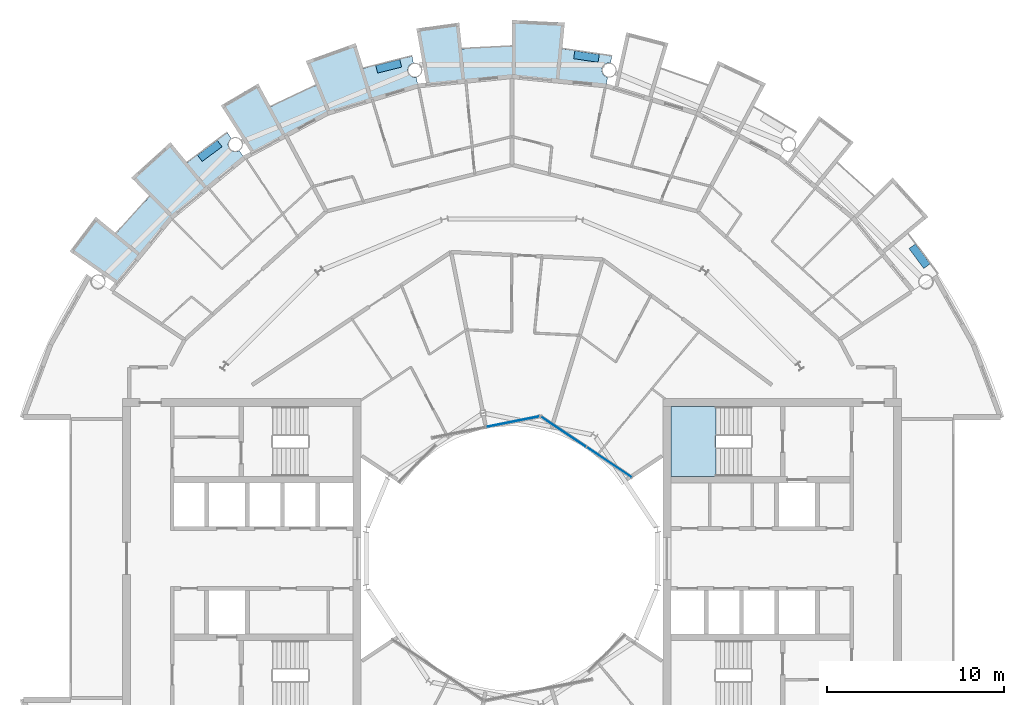
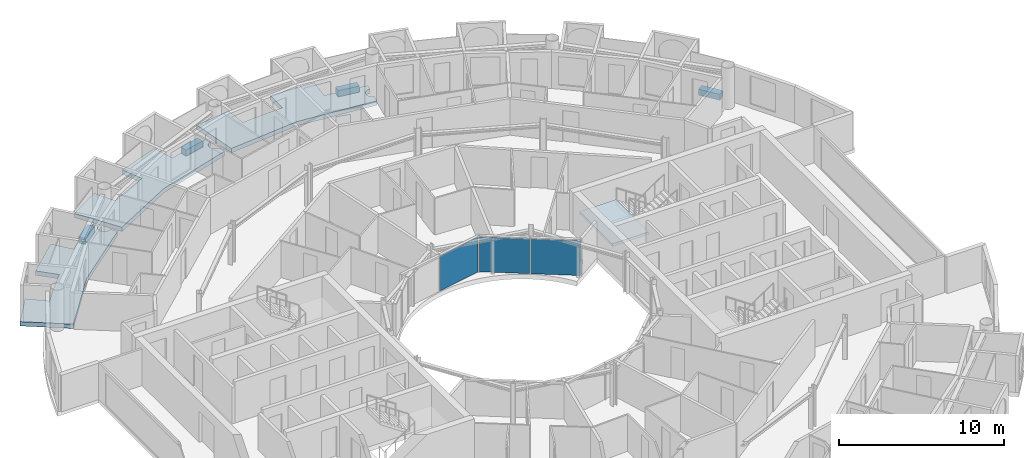
# One storey, part 13 of 29: 8 slabs, 3 plates, 3 elements without a shape of their own.
"""IFC4 building model written with IfcOpenShell, lengths in metres."""

from ifc_helpers import new_model, si_unit, direction, frame, origin, origin_2d, place, context, subcontext, project, spatial, polyline, rectangle, outline, extrude, material, layer, layer_set, type_object, element, aggregate, save


model = new_model("IFC4")

# Units and contexts
model_context = context("Model", 3, precision=1e-05, world=origin(), true_north=direction((0.0, 1.0)))
body_context = subcontext(model_context, "Body", "Model", "MODEL_VIEW")
ifc_project = project(units=[si_unit("LENGTHUNIT", "METRE"), si_unit("AREAUNIT", "SQUARE_METRE"), si_unit("VOLUMEUNIT", "CUBIC_METRE"), si_unit("PLANEANGLEUNIT", "RADIAN"), si_unit("MASSUNIT", "GRAM", prefix="KILO")], contexts=[model_context])

# Site, building, storey
site_placement = place(None, origin())
site = spatial("IfcSite", under=ifc_project, at=site_placement, CompositionType="ELEMENT")
building_placement = place(site_placement, origin())
building = spatial("IfcBuilding", under=site, at=building_placement, Name="Maasbend Ring Residences", CompositionType="ELEMENT")
storey_placement = place(building_placement, frame((0.0, 0.0, 190.199951171875)))
storey = spatial("IfcBuildingStorey", under=building, at=storey_placement, Name="L54", CompositionType="ELEMENT", Elevation=190.199951171875)

# Stair, slab
ifc_material_1 = material(Name="Concrete C40/50", Category="concrete")
stair_type = type_object("IfcStairType", Name="CORE STAIR 18 RISERS", PredefinedType="HALF_TURN_STAIR", material=ifc_material_1)
stair_placement = place(storey_placement, origin())
stair = element("IfcStair", 1, at=stair_placement, inside=storey, type_object=stair_type, Name="L54 Exit stair ST-E1", PredefinedType="HALF_TURN_STAIR")
ifc_material_2 = material(Name="Concrete C40/50", Category="concrete")
ifc_layer_1 = layer(ifc_material_2, 0.199951171875)
ifc_layer_set_1 = layer_set([ifc_layer_1], Name="Concrete C40/50")
slab_type_1 = type_object("IfcSlabType", Name="CORE STAIR LANDING 200", PredefinedType="LANDING", material=ifc_layer_set_1)
slab_1_placement = place(storey_placement, frame((0.0, 0.0, 1.324951171875)))
slab_1 = element("IfcSlab", 2, at=slab_1_placement, type_object=slab_type_1, Name="ST-E1 landing 1", PredefinedType="LANDING", context=body_context, shape_type="SweptSolid", body=[
    extrude(outline(polyline([(11.550048828125, 8.60009765625), (9.0, 8.60009765625), (9.0, 4.64990234375), (11.550048828125, 4.64990234375), (11.550048828125, 8.60009765625)])), origin(), (0.0, 0.0, 1.0), 0.2001953125),
])
aggregate(stair, [slab_1])

# Curtain wall, plates
ifc_material_3 = material(Name="Aluminium and clear glass", Category="aluminium")
ifc_layer_2 = layer(ifc_material_3, 0.179931640625)
ifc_layer_set_2 = layer_set([ifc_layer_2], Name="CW-W")
curtain_wall_type = type_object("IfcCurtainWallType", Name="CW-W", PredefinedType="NOTDEFINED", material=ifc_layer_set_2)
curtain_wall_1_placement = place(storey_placement, origin())
curtain_wall_1 = element("IfcCurtainWall", 3, at=curtain_wall_1_placement, inside=storey, type_object=curtain_wall_type, Name="Well curtain wall N1", PredefinedType="NOTDEFINED")
ifc_material_4 = material(Name="Glass clear laminated", Category="glass")
ifc_layer_3 = layer(ifc_material_4, 0.031982421875)
ifc_layer_set_3 = layer_set([ifc_layer_3], Name="CWP-W")
plate_type = type_object("IfcPlateType", Name="CWP-W", PredefinedType="CURTAIN_PANEL", material=ifc_layer_set_3)
plate_1_placement = place(storey_placement, frame((5.51123046875, 5.44580078125, 0.0), z_axis=(0.0, 0.0, 1.0), x_axis=(-0.831469612303, 0.55557023302, 0.0)))
plate_1 = element("IfcPlate", 4, at=plate_1_placement, type_object=plate_type, Name="Glass panel well face", PredefinedType="CURTAIN_PANEL", context=body_context, shape_type="SweptSolid", body=[
    extrude(rectangle(XDim=3.053955078125, YDim=0.031982421875, at=origin_2d()), origin(), (0.0, 0.0, 1.0), 2.580078125),
])
plate_2_placement = place(storey_placement, frame((2.922119140625, 7.17578125, 0.0), z_axis=(0.0, 0.0, 1.0), x_axis=(-0.831469612303, 0.55557023302, 0.0)))
plate_2 = element("IfcPlate", 5, at=plate_2_placement, type_object=plate_type, Name="Glass panel well face", PredefinedType="CURTAIN_PANEL", context=body_context, shape_type="SweptSolid", body=[
    extrude(rectangle(XDim=3.053955078125, YDim=0.031982421875, at=origin_2d()), origin(), (0.0, 0.0, 1.0), 2.580078125),
])
aggregate(curtain_wall_1, [plate_1, plate_2])

# Curtain wall, plate
curtain_wall_2_placement = place(storey_placement, origin())
curtain_wall_2 = element("IfcCurtainWall", 6, at=curtain_wall_2_placement, inside=storey, type_object=curtain_wall_type, Name="Well curtain wall N2", PredefinedType="NOTDEFINED")
plate_3_placement = place(storey_placement, frame((0.04638671875, 7.747802734375, 0.0), z_axis=(0.0, 0.0, 1.0), x_axis=(-0.980785280403, -0.195090322016, 0.0)))
plate_3 = element("IfcPlate", 7, at=plate_3_placement, type_object=plate_type, Name="Glass panel well face", PredefinedType="CURTAIN_PANEL", context=body_context, shape_type="SweptSolid", body=[
    extrude(rectangle(XDim=3.053955078125, YDim=0.031982421875, at=origin_2d()), origin(), (0.0, 0.0, 1.0), 2.580078125),
])
aggregate(curtain_wall_2, [plate_3])

# Slabs
ifc_material_5 = material(Name="Planting with climbing greenery")
ifc_layer_4 = layer(ifc_material_5, 0.449951171875)
ifc_layer_set_4 = layer_set([ifc_layer_4], Name="PLANTER-LG")
slab_type_2 = type_object("IfcSlabType", Name="PLANTER-LG", PredefinedType="USERDEFINED", material=ifc_layer_set_4)
slab_2_placement = place(storey_placement, frame((0.0, 0.0, -0.030029296875)))
element("IfcSlab", 8, at=slab_2_placement, inside=storey, type_object=slab_type_2, Name="Planter with climbing greenery 1", ObjectType="PLANTER", PredefinedType="USERDEFINED", context=body_context, shape_type="SweptSolid", body=[
    extrude(outline(polyline([(23.681884765625, 16.69189453125), (22.847900390625, 17.81689453125), (22.487060546875, 17.549072265625), (23.321044921875, 16.424072265625), (23.681884765625, 16.69189453125)])), origin(), (0.0, 0.0, 1.0), 0.4501953125),
])
slab_3_placement = place(storey_placement, frame((0.0, 0.0, -0.030029296875)))
element("IfcSlab", 9, at=slab_3_placement, inside=storey, type_object=slab_type_2, Name="Planter with climbing greenery 3", ObjectType="PLANTER", PredefinedType="USERDEFINED", context=body_context, shape_type="SweptSolid", body=[
    extrude(outline(polyline([(4.94189453125, 28.549072265625), (3.55810546875, 28.75390625), (3.491943359375, 28.30908203125), (4.8759765625, 28.10400390625), (4.94189453125, 28.549072265625)])), origin(), (0.0, 0.0, 1.0), 0.4501953125),
])
slab_4_placement = place(storey_placement, frame((0.0, 0.0, -0.030029296875)))
element("IfcSlab", 10, at=slab_4_placement, inside=storey, type_object=slab_type_2, Name="Planter with climbing greenery 4", ObjectType="PLANTER", PredefinedType="USERDEFINED", context=body_context, shape_type="SweptSolid", body=[
    extrude(outline(polyline([(-6.35888671875, 28.26708984375), (-7.717041015625, 27.927001953125), (-7.60791015625, 27.489990234375), (-6.25, 27.8310546875), (-6.35888671875, 28.26708984375)])), origin(), (0.0, 0.0, 1.0), 0.4501953125),
])
slab_5_placement = place(storey_placement, frame((0.0, 0.0, -0.030029296875)))
element("IfcSlab", 11, at=slab_5_placement, inside=storey, type_object=slab_type_2, Name="Planter with climbing greenery 5", ObjectType="PLANTER", PredefinedType="USERDEFINED", context=body_context, shape_type="SweptSolid", body=[
    extrude(outline(polyline([(-16.69189453125, 23.681884765625), (-17.81689453125, 22.847900390625), (-17.549072265625, 22.487060546875), (-16.424072265625, 23.321044921875), (-16.69189453125, 23.681884765625)])), origin(), (0.0, 0.0, 1.0), 0.4501953125),
])
ifc_material_6 = material(Name="Concrete C40/50", Category="concrete")
ifc_layer_5 = layer(ifc_material_6, 0.199951171875)
ifc_layer_set_5 = layer_set([ifc_layer_5], Name="Concrete C40/50")
slab_type_3 = type_object("IfcSlabType", Name="SL-LOGGIA", PredefinedType="FLOOR", material=ifc_layer_set_5)
slab_6_placement = place(storey_placement, frame((0.0, 0.0, -0.349853515625)))
element("IfcSlab", 12, at=slab_6_placement, inside=storey, type_object=slab_type_3, Name="Loggia floor 2", PredefinedType="FLOOR", context=body_context, shape_type="SweptSolid", body=[
    extrude(outline(polyline([(-13.6708984375, 25.575927734375), (-13.6708984375, 25.575927734375), (-13.6708984375, 25.575927734375), (-13.6708984375, 25.575927734375), (-13.6708984375, 25.575927734375), (-13.6708984375, 25.575927734375), (-13.6708984375, 25.575927734375), (-13.669921875, 25.575927734375), (-13.669921875, 25.575927734375), (-13.669921875, 25.575927734375), (-13.669921875, 25.575927734375), (-13.669921875, 25.575927734375), (-13.669921875, 25.575927734375), (-13.669921875, 25.575927734375), (-13.669921875, 25.575927734375), (-13.669921875, 25.575927734375), (-13.669921875, 25.575927734375), (-12.825927734375, 26.009033203125), (-12.825927734375, 26.009033203125), (-11.968994140625, 26.4150390625), (-11.968994140625, 26.4150390625), (-11.097900390625, 26.7919921875), (-11.097900390625, 26.7919921875), (-11.097900390625, 26.7919921875), (-11.097900390625, 26.7919921875), (-11.097900390625, 26.7919921875), (-11.097900390625, 26.7919921875), (-11.097900390625, 26.7919921875), (-11.097900390625, 26.79296875), (-11.097900390625, 26.79296875), (-11.097900390625, 26.79296875), (-11.097900390625, 26.79296875), (-11.097900390625, 26.79296875), (-11.097900390625, 26.79296875), (-11.097900390625, 26.79296875), (-11.097900390625, 26.79296875), (-11.097900390625, 26.79296875), (-11.097900390625, 26.79296875), (-11.672119140625, 28.177978515625), (-11.672119140625, 28.177978515625), (-11.672119140625, 28.177978515625), (-8.85400390625, 29.18701171875), (-8.85400390625, 29.18701171875), (-8.85400390625, 29.18701171875), (-8.41796875, 27.751953125), (-8.41796875, 27.751953125), (-8.41796875, 27.751953125), (-8.41796875, 27.751953125), (-8.41796875, 27.751953125), (-8.41796875, 27.751953125), (-8.41796875, 27.751953125), (-8.41796875, 27.7509765625), (-8.41796875, 27.7509765625), (-8.41796875, 27.7509765625), (-8.41796875, 27.7509765625), (-8.41796875, 27.7509765625), (-8.41796875, 27.7509765625), (-8.41796875, 27.7509765625), (-8.41796875, 27.7509765625), (-8.41796875, 27.7509765625), (-8.41796875, 27.7509765625), (-7.506103515625, 28.011962890625), (-7.506103515625, 28.011962890625), (-6.5849609375, 28.241943359375), (-6.5849609375, 28.241943359375), (-5.657958984375, 28.443115234375), (-5.657958984375, 28.443115234375), (-5.657958984375, 28.443115234375), (-5.5810546875, 28.056884765625), (-5.591064453125, 28.054931640625), (-5.60009765625, 28.052001953125), (-5.610107421875, 28.050048828125), (-5.6201171875, 28.047119140625), (-5.62890625, 28.0439453125), (-5.637939453125, 28.041015625), (-5.64794921875, 28.037109375), (-5.656982421875, 28.033935546875), (-5.666015625, 28.030029296875), (-5.675048828125, 28.02587890625), (-5.68408203125, 28.02099609375), (-5.693115234375, 28.01708984375), (-5.701904296875, 28.011962890625), (-5.7099609375, 28.007080078125), (-5.718994140625, 28.001953125), (-5.72705078125, 27.99609375), (-5.736083984375, 27.989990234375), (-5.743896484375, 27.985107421875), (-5.751953125, 27.97900390625), (-5.759033203125, 27.971923828125), (-5.76708984375, 27.966064453125), (-5.77392578125, 27.958984375), (-5.781982421875, 27.952880859375), (-5.7890625, 27.946044921875), (-5.7958984375, 27.93798828125), (-5.802978515625, 27.930908203125), (-5.80908203125, 27.924072265625), (-5.81591796875, 27.916015625), (-5.822021484375, 27.907958984375), (-5.827880859375, 27.89990234375), (-5.833984375, 27.89208984375), (-5.839111328125, 27.884033203125), (-5.844970703125, 27.8759765625), (-5.85009765625, 27.866943359375), (-5.85498046875, 27.85791015625), (-5.860107421875, 27.85009765625), (-5.864990234375, 27.841064453125), (-5.868896484375, 27.83203125), (-5.873046875, 27.822998046875), (-5.876953125, 27.81396484375), (-5.881103515625, 27.803955078125), (-5.884033203125, 27.794921875), (-5.886962890625, 27.785888671875), (-5.889892578125, 27.77587890625), (-5.89306640625, 27.76708984375), (-5.89599609375, 27.757080078125), (-5.89794921875, 27.7470703125), (-5.89990234375, 27.737060546875), (-5.902099609375, 27.72802734375), (-5.904052734375, 27.718017578125), (-5.905029296875, 27.7080078125), (-5.906005859375, 27.697998046875), (-5.906982421875, 27.68798828125), (-5.907958984375, 27.677978515625), (-5.907958984375, 27.66796875), (-5.907958984375, 27.657958984375), (-5.907958984375, 27.64794921875), (-5.907958984375, 27.637939453125), (-5.906982421875, 27.6279296875), (-5.906005859375, 27.617919921875), (-5.905029296875, 27.60791015625), (-5.904052734375, 27.597900390625), (-5.902099609375, 27.589111328125), (-5.89990234375, 27.5791015625), (-5.89794921875, 27.569091796875), (-5.89599609375, 27.55908203125), (-5.89306640625, 27.550048828125), (-5.889892578125, 27.5400390625), (-5.886962890625, 27.531005859375), (-5.884033203125, 27.52099609375), (-5.881103515625, 27.511962890625), (-5.876953125, 27.5029296875), (-5.873046875, 27.492919921875), (-5.868896484375, 27.48388671875), (-5.864990234375, 27.47509765625), (-5.860107421875, 27.466064453125), (-5.85498046875, 27.4580078125), (-5.85009765625, 27.448974609375), (-5.844970703125, 27.44091796875), (-5.839111328125, 27.431884765625), (-5.833984375, 27.424072265625), (-5.827880859375, 27.416015625), (-5.822021484375, 27.407958984375), (-5.81591796875, 27.39990234375), (-5.80908203125, 27.39306640625), (-5.802978515625, 27.385009765625), (-5.7958984375, 27.3779296875), (-5.7890625, 27.37109375), (-5.781982421875, 27.364013671875), (-5.77392578125, 27.35693359375), (-5.76708984375, 27.35009765625), (-5.759033203125, 27.343994140625), (-5.751953125, 27.337890625), (-5.743896484375, 27.33203125), (-5.736083984375, 27.325927734375), (-5.72705078125, 27.320068359375), (-5.718994140625, 27.31494140625), (-5.7099609375, 27.30908203125), (-5.701904296875, 27.303955078125), (-5.693115234375, 27.300048828125), (-5.68408203125, 27.294921875), (-5.675048828125, 27.291015625), (-5.666015625, 27.285888671875), (-5.656982421875, 27.282958984375), (-5.64794921875, 27.279052734375), (-5.637939453125, 27.27490234375), (-5.62890625, 27.27197265625), (-5.6201171875, 27.26904296875), (-5.610107421875, 27.26611328125), (-5.60009765625, 27.263916015625), (-5.591064453125, 27.260986328125), (-5.5810546875, 27.259033203125), (-5.571044921875, 27.258056640625), (-5.56103515625, 27.256103515625), (-5.551025390625, 27.2548828125), (-5.541015625, 27.25390625), (-5.531005859375, 27.2529296875), (-5.52099609375, 27.251953125), (-5.510986328125, 27.251953125), (-5.501953125, 27.251953125), (-5.491943359375, 27.251953125), (-5.48193359375, 27.251953125), (-5.471923828125, 27.2529296875), (-5.4619140625, 27.25390625), (-5.451904296875, 27.2548828125), (-5.44189453125, 27.256103515625), (-5.431884765625, 27.258056640625), (-5.422119140625, 27.259033203125), (-5.325927734375, 26.77490234375), (-5.325927734375, 26.77490234375), (-5.325927734375, 26.77490234375), (-7.886962890625, 25.9990234375), (-10.447021484375, 25.221923828125), (-10.447021484375, 25.221923828125), (-10.447021484375, 25.221923828125), (-12.806884765625, 23.9609375), (-14.73291015625, 22.930908203125), (-14.73291015625, 22.930908203125), (-14.73291015625, 22.930908203125), (-16.487060546875, 25.659912109375), (-16.487060546875, 25.659912109375), (-16.487060546875, 25.659912109375), (-14.3779296875, 26.89892578125), (-14.3779296875, 26.89892578125), (-14.3779296875, 26.89892578125), (-13.6708984375, 25.575927734375)])), origin(), (0.0, 0.0, 1.0), 0.31982421875),
])
slab_7_placement = place(storey_placement, frame((0.0, 0.0, -0.349853515625)))
element("IfcSlab", 13, at=slab_7_placement, inside=storey, type_object=slab_type_3, Name="Loggia floor 3", PredefinedType="FLOOR", context=body_context, shape_type="SweptSolid", body=[
    extrude(outline(polyline([(-2.843017578125, 28.861083984375), (-2.843017578125, 28.861083984375), (-2.843017578125, 28.861083984375), (-2.843017578125, 28.861083984375), (-2.842041015625, 28.861083984375), (-2.842041015625, 28.861083984375), (-2.842041015625, 28.861083984375), (-2.842041015625, 28.861083984375), (-2.842041015625, 28.861083984375), (-2.842041015625, 28.860107421875), (-2.842041015625, 28.860107421875), (-2.842041015625, 28.860107421875), (-2.842041015625, 28.860107421875), (-2.842041015625, 28.860107421875), (-2.842041015625, 28.860107421875), (-2.842041015625, 28.860107421875), (-2.842041015625, 28.860107421875), (-1.89697265625, 28.93798828125), (-1.89697265625, 28.93798828125), (-0.948974609375, 28.98388671875), (-0.948974609375, 28.98388671875), (0.0, 29.0), (0.0, 29.0), (0.0, 29.0), (0.0, 29.0), (0.0, 29.0), (0.0, 29.0), (0.0, 29.0), (0.0, 29.0), (0.0, 29.0), (0.0, 29.0), (0.0, 29.0), (0.0, 29.0), (0.0, 29.0), (0.0, 29.0), (0.0, 29.0), (0.0, 29.0), (0.0, 29.0), (0.0, 30.5), (0.0, 30.5), (0.0, 30.5), (2.989990234375, 30.35302734375), (2.989990234375, 30.35302734375), (2.989990234375, 30.35302734375), (2.843017578125, 28.861083984375), (2.843017578125, 28.861083984375), (2.843017578125, 28.861083984375), (2.843017578125, 28.861083984375), (2.843017578125, 28.861083984375), (2.843017578125, 28.861083984375), (2.843017578125, 28.861083984375), (2.843017578125, 28.861083984375), (2.843017578125, 28.860107421875), (2.843017578125, 28.860107421875), (2.843017578125, 28.860107421875), (2.843017578125, 28.860107421875), (2.843017578125, 28.860107421875), (2.843017578125, 28.860107421875), (2.843017578125, 28.860107421875), (2.843017578125, 28.860107421875), (2.843017578125, 28.860107421875), (3.784912109375, 28.751953125), (3.784912109375, 28.751953125), (4.72412109375, 28.613037109375), (4.72412109375, 28.613037109375), (5.657958984375, 28.443115234375), (5.657958984375, 28.443115234375), (5.657958984375, 28.443115234375), (5.5810546875, 28.056884765625), (5.5810546875, 28.056884765625), (5.571044921875, 28.05908203125), (5.56103515625, 28.06005859375), (5.551025390625, 28.06201171875), (5.541015625, 28.06298828125), (5.531005859375, 28.06298828125), (5.52099609375, 28.06396484375), (5.510986328125, 28.06396484375), (5.501953125, 28.06494140625), (5.491943359375, 28.06396484375), (5.48193359375, 28.06396484375), (5.471923828125, 28.06298828125), (5.4619140625, 28.06298828125), (5.451904296875, 28.06201171875), (5.44189453125, 28.06005859375), (5.431884765625, 28.05908203125), (5.422119140625, 28.056884765625), (5.412109375, 28.054931640625), (5.403076171875, 28.052001953125), (5.39306640625, 28.050048828125), (5.383056640625, 28.047119140625), (5.3740234375, 28.0439453125), (5.364990234375, 28.041015625), (5.35498046875, 28.037109375), (5.345947265625, 28.033935546875), (5.3369140625, 28.030029296875), (5.327880859375, 28.02587890625), (5.319091796875, 28.02099609375), (5.31005859375, 28.01708984375), (5.301025390625, 28.011962890625), (5.29296875, 28.007080078125), (5.283935546875, 28.001953125), (5.27587890625, 27.99609375), (5.26708984375, 27.989990234375), (5.259033203125, 27.985107421875), (5.2509765625, 27.97900390625), (5.243896484375, 27.971923828125), (5.236083984375, 27.966064453125), (5.22900390625, 27.958984375), (5.220947265625, 27.952880859375), (5.214111328125, 27.946044921875), (5.20703125, 27.93798828125), (5.199951171875, 27.930908203125), (5.194091796875, 27.924072265625), (5.18701171875, 27.916015625), (5.180908203125, 27.907958984375), (5.175048828125, 27.89990234375), (5.1689453125, 27.89208984375), (5.1640625, 27.884033203125), (5.157958984375, 27.8759765625), (5.153076171875, 27.866943359375), (5.14794921875, 27.85791015625), (5.14306640625, 27.85009765625), (5.137939453125, 27.841064453125), (5.134033203125, 27.83203125), (5.1298828125, 27.822998046875), (5.1259765625, 27.81396484375), (5.1220703125, 27.803955078125), (5.118896484375, 27.794921875), (5.115966796875, 27.785888671875), (5.113037109375, 27.77587890625), (5.110107421875, 27.76708984375), (5.10693359375, 27.757080078125), (5.10498046875, 27.7470703125), (5.10302734375, 27.737060546875), (5.10107421875, 27.72802734375), (5.09912109375, 27.718017578125), (5.097900390625, 27.7080078125), (5.096923828125, 27.697998046875), (5.095947265625, 27.68798828125), (5.094970703125, 27.677978515625), (5.094970703125, 27.66796875), (5.094970703125, 27.657958984375), (5.094970703125, 27.64794921875), (5.094970703125, 27.637939453125), (5.095947265625, 27.6279296875), (5.096923828125, 27.617919921875), (5.097900390625, 27.60791015625), (5.09912109375, 27.597900390625), (5.10107421875, 27.589111328125), (5.10302734375, 27.5791015625), (5.10498046875, 27.569091796875), (5.10693359375, 27.55908203125), (5.110107421875, 27.550048828125), (5.113037109375, 27.5400390625), (5.115966796875, 27.531005859375), (5.118896484375, 27.52099609375), (5.1220703125, 27.511962890625), (5.1259765625, 27.5029296875), (5.1298828125, 27.492919921875), (5.134033203125, 27.48388671875), (5.137939453125, 27.47509765625), (5.14306640625, 27.466064453125), (5.14794921875, 27.4580078125), (5.153076171875, 27.448974609375), (5.157958984375, 27.44091796875), (5.1640625, 27.431884765625), (5.1689453125, 27.424072265625), (5.175048828125, 27.416015625), (5.180908203125, 27.407958984375), (5.18701171875, 27.39990234375), (5.194091796875, 27.39306640625), (5.199951171875, 27.385009765625), (5.20703125, 27.3779296875), (5.214111328125, 27.37109375), (5.220947265625, 27.364013671875), (5.22900390625, 27.35693359375), (5.236083984375, 27.35009765625), (5.243896484375, 27.343994140625), (5.2509765625, 27.337890625), (5.259033203125, 27.33203125), (5.26708984375, 27.325927734375), (5.27587890625, 27.320068359375), (5.283935546875, 27.31494140625), (5.29296875, 27.30908203125), (5.301025390625, 27.303955078125), (5.31005859375, 27.300048828125), (5.319091796875, 27.294921875), (5.327880859375, 27.291015625), (5.3369140625, 27.285888671875), (5.345947265625, 27.282958984375), (5.35498046875, 27.279052734375), (5.364990234375, 27.27490234375), (5.3740234375, 27.27197265625), (5.383056640625, 27.26904296875), (5.39306640625, 27.26611328125), (5.403076171875, 27.263916015625), (5.412109375, 27.260986328125), (5.422119140625, 27.259033203125), (5.422119140625, 27.259033203125), (5.325927734375, 26.77490234375), (5.325927734375, 26.77490234375), (5.325927734375, 26.77490234375), (2.6630859375, 27.0380859375), (0.0, 27.300048828125), (0.0, 27.300048828125), (0.0, 27.300048828125), (-2.6630859375, 27.0380859375), (-4.8359375, 26.823974609375), (-4.8359375, 26.823974609375), (-4.8359375, 26.823974609375), (-5.412109375, 30.01611328125), (-5.412109375, 30.01611328125), (-5.412109375, 30.01611328125), (-2.989990234375, 30.35302734375), (-2.989990234375, 30.35302734375), (-2.989990234375, 30.35302734375), (-2.843017578125, 28.861083984375)])), origin(), (0.0, 0.0, 1.0), 0.31982421875),
])
slab_8_placement = place(storey_placement, frame((0.0, 0.0, -0.349853515625)))
element("IfcSlab", 14, at=slab_8_placement, inside=storey, type_object=slab_type_3, Name="Loggia floor 5", PredefinedType="FLOOR", context=body_context, shape_type="SweptSolid", body=[
    extrude(outline(polyline([(-22.41796875, 18.39794921875), (-22.41796875, 18.39794921875), (-22.41796875, 18.39794921875), (-22.41796875, 18.39794921875), (-22.41796875, 18.39794921875), (-22.4169921875, 18.39794921875), (-22.4169921875, 18.39794921875), (-22.4169921875, 18.39794921875), (-22.4169921875, 18.39794921875), (-22.4169921875, 18.39794921875), (-22.4169921875, 18.39794921875), (-22.4169921875, 18.39794921875), (-22.4169921875, 18.39794921875), (-22.4169921875, 18.39794921875), (-22.4169921875, 18.39794921875), (-22.4169921875, 18.39794921875), (-22.4169921875, 18.39794921875), (-21.802978515625, 19.12109375), (-21.802978515625, 19.12109375), (-21.166015625, 19.823974609375), (-21.166015625, 19.823974609375), (-20.506103515625, 20.506103515625), (-20.506103515625, 20.506103515625), (-20.506103515625, 20.506103515625), (-20.506103515625, 20.506103515625), (-20.506103515625, 20.506103515625), (-20.506103515625, 20.506103515625), (-20.506103515625, 20.506103515625), (-20.506103515625, 20.506103515625), (-20.506103515625, 20.506103515625), (-20.506103515625, 20.506103515625), (-20.506103515625, 20.506103515625), (-20.506103515625, 20.506103515625), (-20.506103515625, 20.506103515625), (-20.506103515625, 20.506103515625), (-20.506103515625, 20.506103515625), (-20.506103515625, 20.506103515625), (-20.506103515625, 20.506103515625), (-21.56689453125, 21.56689453125), (-21.56689453125, 21.56689453125), (-21.56689453125, 21.56689453125), (-19.34912109375, 23.576904296875), (-19.34912109375, 23.576904296875), (-19.34912109375, 23.576904296875), (-18.39794921875, 22.41796875), (-18.39794921875, 22.41796875), (-18.39794921875, 22.41796875), (-18.39794921875, 22.41796875), (-18.39794921875, 22.41796875), (-18.39794921875, 22.41796875), (-18.39697265625, 22.41796875), (-18.39697265625, 22.41796875), (-18.39697265625, 22.41796875), (-18.39697265625, 22.41796875), (-18.39697265625, 22.41796875), (-18.39697265625, 22.41796875), (-18.39697265625, 22.41796875), (-18.39697265625, 22.41796875), (-18.39697265625, 22.41796875), (-18.39697265625, 22.41796875), (-18.39697265625, 22.41796875), (-17.654052734375, 23.007080078125), (-17.654052734375, 23.007080078125), (-16.89208984375, 23.572998046875), (-16.89208984375, 23.572998046875), (-16.112060546875, 24.113037109375), (-16.112060546875, 24.113037109375), (-16.112060546875, 24.113037109375), (-15.89306640625, 23.784912109375), (-15.89306640625, 23.784912109375), (-15.90087890625, 23.780029296875), (-15.908935546875, 23.77392578125), (-15.9169921875, 23.76806640625), (-15.925048828125, 23.761962890625), (-15.93310546875, 23.7548828125), (-15.93994140625, 23.7490234375), (-15.947021484375, 23.741943359375), (-15.955078125, 23.735107421875), (-15.9619140625, 23.72802734375), (-15.968017578125, 23.719970703125), (-15.97509765625, 23.712890625), (-15.98095703125, 23.705078125), (-15.988037109375, 23.697021484375), (-15.993896484375, 23.68994140625), (-15.9990234375, 23.680908203125), (-16.0048828125, 23.673095703125), (-16.010986328125, 23.6650390625), (-16.01611328125, 23.656005859375), (-16.02099609375, 23.64794921875), (-16.02587890625, 23.638916015625), (-16.030029296875, 23.6298828125), (-16.034912109375, 23.62109375), (-16.0390625, 23.612060546875), (-16.04296875, 23.60302734375), (-16.0458984375, 23.593994140625), (-16.050048828125, 23.583984375), (-16.052978515625, 23.574951171875), (-16.055908203125, 23.56494140625), (-16.05908203125, 23.555908203125), (-16.06103515625, 23.5458984375), (-16.06396484375, 23.535888671875), (-16.06591796875, 23.527099609375), (-16.068115234375, 23.51708984375), (-16.069091796875, 23.507080078125), (-16.071044921875, 23.4970703125), (-16.072021484375, 23.487060546875), (-16.072021484375, 23.47705078125), (-16.072998046875, 23.467041015625), (-16.072998046875, 23.45703125), (-16.073974609375, 23.447021484375), (-16.072998046875, 23.43701171875), (-16.072998046875, 23.427001953125), (-16.072021484375, 23.4169921875), (-16.072021484375, 23.407958984375), (-16.071044921875, 23.39794921875), (-16.069091796875, 23.387939453125), (-16.068115234375, 23.3779296875), (-16.06591796875, 23.367919921875), (-16.06396484375, 23.35791015625), (-16.06103515625, 23.34912109375), (-16.05908203125, 23.339111328125), (-16.055908203125, 23.3291015625), (-16.052978515625, 23.320068359375), (-16.050048828125, 23.31005859375), (-16.0458984375, 23.301025390625), (-16.04296875, 23.2919921875), (-16.0390625, 23.282958984375), (-16.034912109375, 23.27392578125), (-16.030029296875, 23.264892578125), (-16.02587890625, 23.256103515625), (-16.02099609375, 23.2470703125), (-16.01611328125, 23.238037109375), (-16.010986328125, 23.22998046875), (-16.0048828125, 23.221923828125), (-15.9990234375, 23.212890625), (-15.993896484375, 23.205078125), (-15.988037109375, 23.197021484375), (-15.98095703125, 23.18994140625), (-15.97509765625, 23.181884765625), (-15.968017578125, 23.174072265625), (-15.9619140625, 23.1669921875), (-15.955078125, 23.159912109375), (-15.947021484375, 23.153076171875), (-15.93994140625, 23.14599609375), (-15.93310546875, 23.139892578125), (-15.925048828125, 23.133056640625), (-15.9169921875, 23.126953125), (-15.908935546875, 23.12109375), (-15.90087890625, 23.114990234375), (-15.89306640625, 23.10888671875), (-15.885009765625, 23.10400390625), (-15.8759765625, 23.09912109375), (-15.866943359375, 23.093994140625), (-15.85888671875, 23.089111328125), (-15.85009765625, 23.083984375), (-15.841064453125, 23.080078125), (-15.83203125, 23.075927734375), (-15.822998046875, 23.072021484375), (-15.81298828125, 23.068115234375), (-15.803955078125, 23.06494140625), (-15.794921875, 23.06103515625), (-15.784912109375, 23.05810546875), (-15.77587890625, 23.055908203125), (-15.76611328125, 23.052978515625), (-15.756103515625, 23.051025390625), (-15.74609375, 23.049072265625), (-15.737060546875, 23.047119140625), (-15.72705078125, 23.044921875), (-15.717041015625, 23.0439453125), (-15.70703125, 23.04296875), (-15.697021484375, 23.0419921875), (-15.68701171875, 23.041015625), (-15.677001953125, 23.041015625), (-15.6669921875, 23.041015625), (-15.656982421875, 23.041015625), (-15.64697265625, 23.041015625), (-15.636962890625, 23.0419921875), (-15.626953125, 23.04296875), (-15.616943359375, 23.0439453125), (-15.60693359375, 23.044921875), (-15.597900390625, 23.047119140625), (-15.587890625, 23.049072265625), (-15.577880859375, 23.051025390625), (-15.568115234375, 23.052978515625), (-15.55908203125, 23.055908203125), (-15.549072265625, 23.05810546875), (-15.5400390625, 23.06103515625), (-15.530029296875, 23.06494140625), (-15.52099609375, 23.068115234375), (-15.511962890625, 23.072021484375), (-15.501953125, 23.075927734375), (-15.492919921875, 23.080078125), (-15.48388671875, 23.083984375), (-15.47509765625, 23.089111328125), (-15.467041015625, 23.093994140625), (-15.4580078125, 23.09912109375), (-15.449951171875, 23.10400390625), (-15.44091796875, 23.10888671875), (-15.44091796875, 23.10888671875), (-15.1669921875, 22.698974609375), (-15.1669921875, 22.698974609375), (-15.1669921875, 22.698974609375), (-17.236083984375, 21.001953125), (-19.303955078125, 19.303955078125), (-19.303955078125, 19.303955078125), (-19.303955078125, 19.303955078125), (-21.001953125, 17.236083984375), (-22.386962890625, 15.547119140625), (-22.386962890625, 15.547119140625), (-22.386962890625, 15.547119140625), (-25.051025390625, 17.39794921875), (-25.051025390625, 17.39794921875), (-25.051025390625, 17.39794921875), (-23.576904296875, 19.34912109375), (-23.576904296875, 19.34912109375), (-23.576904296875, 19.34912109375), (-22.41796875, 18.39794921875)])), origin(), (0.0, 0.0, 1.0), 0.31982421875),
])

save(model, "model.ifc")
